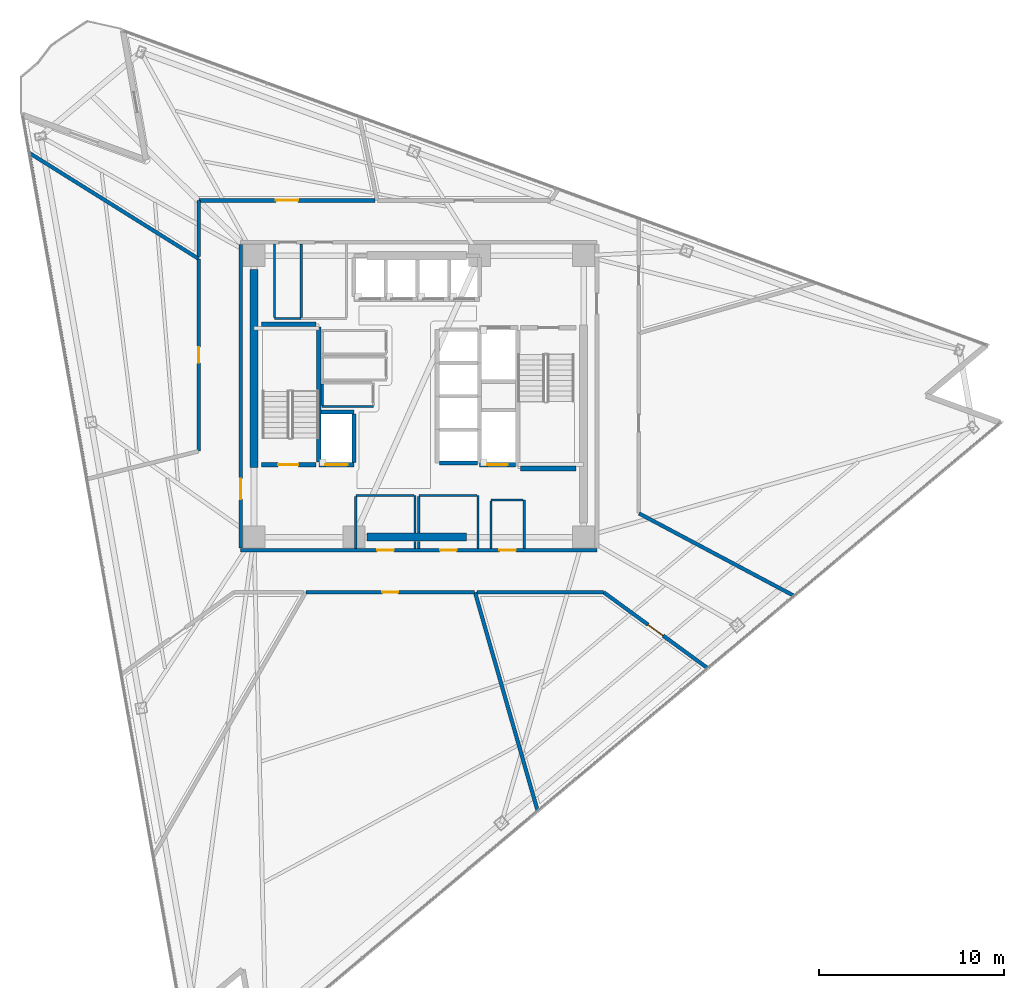
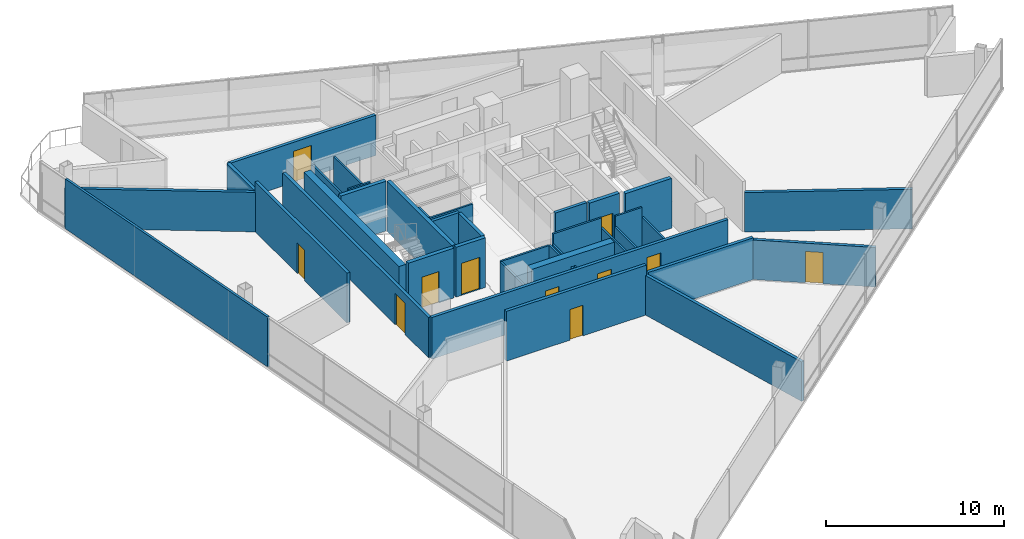
# One storey, part 10 of 15: 39 walls, 11 doors, 11 openings.
"""IFC4 building model written with IfcOpenShell, lengths in metres."""

from ifc_helpers import new_model, si_unit, direction, frame, frame_2d, origin, place, context, subcontext, project, spatial, rectangle, extrude, material, layer, layer_set, type_object, element, fill, save


model = new_model("IFC4")

# Units and contexts
model_context = context("Model", 3, precision=1e-05, world=origin(), true_north=direction((0.0, 1.0)))
body_context = subcontext(model_context, "Body", "Model", "MODEL_VIEW")
ifc_project = project(units=[si_unit("LENGTHUNIT", "METRE"), si_unit("AREAUNIT", "SQUARE_METRE"), si_unit("VOLUMEUNIT", "CUBIC_METRE"), si_unit("PLANEANGLEUNIT", "RADIAN"), si_unit("MASSUNIT", "GRAM", prefix="KILO")], contexts=[model_context])

# Site, building, storey
site_placement = place(None, origin())
site = spatial("IfcSite", under=ifc_project, at=site_placement, CompositionType="ELEMENT")
building_placement = place(site_placement, origin())
building = spatial("IfcBuilding", under=site, at=building_placement, Name="Tharavind Bronze Gate", CompositionType="ELEMENT")
storey_placement = place(building_placement, frame((0.0, 0.0, 174.10009765625)))
storey = spatial("IfcBuildingStorey", under=building, at=storey_placement, Name="L44", CompositionType="ELEMENT", Elevation=174.10009765625)

# Wall, openings, doors
ifc_material_1 = material(Name="Aerated Concrete Block", Category="concrete")
ifc_layer_1 = layer(ifc_material_1, 0.199951171875)
ifc_layer_set_1 = layer_set([ifc_layer_1], Name="Aerated Concrete Block")
wall_type_1 = type_object("IfcWallType", Name="FIRE RATED PARTITION 200", PredefinedType="PARTITIONING", material=ifc_layer_set_1)
wall_1_placement = place(storey_placement, frame((-9.6201171875, -8.320068359375, 0.0), z_axis=(0.0, 0.0, 1.0), x_axis=(1.0, 0.0, 0.0)))
wall_1 = element("IfcWall", 1, at=wall_1_placement, inside=storey, type_object=wall_type_1, Name="L44 south core corridor wall", PredefinedType="PARTITIONING", context=body_context, shape_type="SweptSolid", body=[
    extrude(rectangle(XDim=19.240234375, YDim=0.199951171875, at=frame_2d((9.6201171875, 0.0))), origin(), (0.0, 0.0, 1.0), 2.864990234375),
])
opening_1_placement = place(wall_1_placement, frame((7.3701171875, 0.0, 0.0)))
opening_1 = element("IfcOpeningElement", 2, at=opening_1_placement, cuts=wall_1, Name="Opening ID07", PredefinedType="OPENING", context=body_context, shape_type="SweptSolid", body=[
    extrude(rectangle(XDim=0.89990234375, YDim=2.10009765625, at=frame_2d((0.449951171875, 1.050048828125))), frame((0.0, 0.11009765625, 0.0), z_axis=(0.0, -1.0, 0.0), x_axis=(1.0, 0.0, 0.0)), (0.0, 0.0, 1.0), 0.219951171875),
])
opening_2_placement = place(wall_1_placement, frame((10.77001953125, 0.0, 0.0)))
opening_2 = element("IfcOpeningElement", 3, at=opening_2_placement, cuts=wall_1, Name="Opening ID07", PredefinedType="OPENING", context=body_context, shape_type="SweptSolid", body=[
    extrude(rectangle(XDim=0.89990234375, YDim=2.10009765625, at=frame_2d((0.449951171875, 1.050048828125))), frame((0.0, 0.11009765625, 0.0), z_axis=(0.0, -1.0, 0.0), x_axis=(1.0, 0.0, 0.0)), (0.0, 0.0, 1.0), 0.219951171875),
])
opening_3_placement = place(wall_1_placement, frame((13.969970703125, 0.0, 0.0)))
opening_3 = element("IfcOpeningElement", 4, at=opening_3_placement, cuts=wall_1, Name="Opening ID07", PredefinedType="OPENING", context=body_context, shape_type="SweptSolid", body=[
    extrude(rectangle(XDim=0.89990234375, YDim=2.10009765625, at=frame_2d((0.449951171875, 1.050048828125))), frame((0.0, 0.11009765625, 0.0), z_axis=(0.0, -1.0, 0.0), x_axis=(1.0, 0.0, 0.0)), (0.0, 0.0, 1.0), 0.219951171875),
])
ifc_material_2 = material(Name="Galvanised Fire Steel", Category="steel")
door_type_1 = type_object("IfcDoorType", Name="PLANT AND RISER FIRE DOOR 900X2100", OperationType="SINGLE_SWING_LEFT", PredefinedType="DOOR", material=ifc_material_2)
door_1_placement = place(opening_1_placement, frame((0.89990234375, 0.0, 0.0), z_axis=(0.0, 0.0, 1.0), x_axis=(-1.0, 0.0, 0.0)))
door_1 = element("IfcDoor", 5, at=door_1_placement, inside=storey, type_object=door_type_1, Name="L44 Core Archive Store fire door", OperationType="SINGLE_SWING_LEFT", OverallHeight=2.10009765625, OverallWidth=0.89990234375, PredefinedType="DOOR", context=body_context, shape_type="SweptSolid", body=[
    extrude(rectangle(XDim=0.89990234375, YDim=2.10009765625, at=frame_2d((0.449951171875, 1.050048828125))), frame((0.0, 0.02490234375, 0.0), z_axis=(0.0, -1.0, 0.0), x_axis=(1.0, 0.0, 0.0)), (0.0, 0.0, 1.0), 0.050048828125),
])
fill(opening_1, door_1)
door_2_placement = place(opening_2_placement, frame((0.89990234375, 0.0, 0.0), z_axis=(0.0, 0.0, 1.0), x_axis=(-1.0, 0.0, 0.0)))
door_2 = element("IfcDoor", 6, at=door_2_placement, inside=storey, type_object=door_type_1, Name="L44 Core Server Room fire door", OperationType="SINGLE_SWING_LEFT", OverallHeight=2.10009765625, OverallWidth=0.89990234375, PredefinedType="DOOR", context=body_context, shape_type="SweptSolid", body=[
    extrude(rectangle(XDim=0.89990234375, YDim=2.10009765625, at=frame_2d((0.449951171875, 1.050048828125))), frame((0.0, 0.02490234375, 0.0), z_axis=(0.0, -1.0, 0.0), x_axis=(1.0, 0.0, 0.0)), (0.0, 0.0, 1.0), 0.050048828125),
])
fill(opening_2, door_2)
door_3_placement = place(opening_3_placement, frame((0.89990234375, 0.0, 0.0), z_axis=(0.0, 0.0, 1.0), x_axis=(-1.0, 0.0, 0.0)))
door_3 = element("IfcDoor", 7, at=door_3_placement, inside=storey, type_object=door_type_1, Name="L44 Janitor Store Cupboard fire door", OperationType="SINGLE_SWING_LEFT", OverallHeight=2.10009765625, OverallWidth=0.89990234375, PredefinedType="DOOR", context=body_context, shape_type="SweptSolid", body=[
    extrude(rectangle(XDim=0.89990234375, YDim=2.10009765625, at=frame_2d((0.449951171875, 1.050048828125))), frame((0.0, 0.02490234375, 0.0), z_axis=(0.0, -1.0, 0.0), x_axis=(1.0, 0.0, 0.0)), (0.0, 0.0, 1.0), 0.050048828125),
])
fill(opening_3, door_3)

# Wall, opening, door
wall_2_placement = place(storey_placement, frame((-9.6201171875, 8.199951171875, 0.0), z_axis=(0.0, 0.0, 1.0), x_axis=(0.0, -1.0, 0.0)))
wall_2 = element("IfcWall", 8, at=wall_2_placement, inside=storey, type_object=wall_type_1, Name="L44 west core corridor wall", PredefinedType="PARTITIONING", context=body_context, shape_type="SweptSolid", body=[
    extrude(rectangle(XDim=16.39990234375, YDim=0.199951171875, at=frame_2d((8.199951171875, 0.0))), origin(), (0.0, 0.0, 1.0), 2.764892578125),
])
opening_4_placement = place(wall_2_placement, frame((12.64990234375, 0.0, 0.0)))
opening_4 = element("IfcOpeningElement", 9, at=opening_4_placement, cuts=wall_2, Name="Opening ID01", PredefinedType="OPENING", context=body_context, shape_type="SweptSolid", body=[
    extrude(rectangle(XDim=1.10009765625, YDim=2.14990234375, at=frame_2d((0.550048828125, 1.074951171875))), frame((0.0, 0.11009765625, 0.0), z_axis=(0.0, -1.0, 0.0), x_axis=(1.0, 0.0, 0.0)), (0.0, 0.0, 1.0), 0.219951171875),
])
ifc_material_3 = material(Name="Fire-Rated Steel", Category="steel")
door_type_2 = type_object("IfcDoorType", Name="STAIR CORE FIRE DOOR 1100X2150", OperationType="SINGLE_SWING_LEFT", PredefinedType="DOOR", material=ifc_material_3)
door_4_placement = place(opening_4_placement, frame((1.10009765625, 0.0, 0.0), z_axis=(0.0, 0.0, 1.0), x_axis=(-1.0, 0.0, 0.0)))
door_4 = element("IfcDoor", 10, at=door_4_placement, inside=storey, type_object=door_type_2, Name="L44 south west stair lobby fire door", OperationType="SINGLE_SWING_LEFT", OverallHeight=2.14990234375, OverallWidth=1.10009765625, PredefinedType="DOOR", context=body_context, shape_type="SweptSolid", body=[
    extrude(rectangle(XDim=1.10009765625, YDim=2.14990234375, at=frame_2d((0.550048828125, 1.074951171875))), frame((0.0, 0.02490234375, 0.0), z_axis=(0.0, -1.0, 0.0), x_axis=(1.0, 0.0, 0.0)), (0.0, 0.0, 1.0), 0.050048828125),
])
fill(opening_4, door_4)

# Wall
wall_3_placement = place(storey_placement, frame((-21.03564453125, 13.14453125, 0.0), z_axis=(0.0, 0.0, 1.0), x_axis=(0.848050455258, -0.529915488863, 0.0)))
element("IfcWall", 11, at=wall_3_placement, inside=storey, type_object=wall_type_1, Name="L44 Public Restrooms Block partition", PredefinedType="PARTITIONING", context=body_context, shape_type="SweptSolid", body=[
    extrude(rectangle(XDim=10.7822265625, YDim=0.199951171875, at=frame_2d((5.39111328125, 0.0))), origin(), (0.0, 0.0, 1.0), 2.71484375),
])

# Wall, opening, door
wall_4_placement = place(storey_placement, frame((-11.8798828125, 7.40966796875, 0.0), z_axis=(0.0, 0.0, 1.0), x_axis=(0.0, -1.0, 0.0)))
wall_4 = element("IfcWall", 12, at=wall_4_placement, inside=storey, type_object=wall_type_1, Name="L44 Public Restrooms Block partition", PredefinedType="PARTITIONING", context=body_context, shape_type="SweptSolid", body=[
    extrude(rectangle(XDim=10.35205078125, YDim=0.199951171875, at=frame_2d((5.176025390625, 0.0))), origin(), (0.0, 0.0, 1.0), 3.419921875),
])
opening_5_placement = place(wall_4_placement, frame((4.7509765625, 0.0, 0.0)))
opening_5 = element("IfcOpeningElement", 13, at=opening_5_placement, cuts=wall_4, Name="Opening ID06", PredefinedType="OPENING", context=body_context, shape_type="SweptSolid", body=[
    extrude(rectangle(XDim=0.85009765625, YDim=2.10009765625, at=frame_2d((0.425048828125, 1.050048828125))), frame((0.0, 0.11009765625, 0.0), z_axis=(0.0, -1.0, 0.0), x_axis=(1.0, 0.0, 0.0)), (0.0, 0.0, 1.0), 0.219951171875),
])
ifc_material_4 = material(Name="Moisture-Resistant Timber", Category="wood")
door_type_3 = type_object("IfcDoorType", Name="BATHROOM PRIVACY DOOR 850X2100", OperationType="SINGLE_SWING_RIGHT", PredefinedType="DOOR", material=ifc_material_4)
door_5_placement = place(opening_5_placement, origin())
door_5 = element("IfcDoor", 14, at=door_5_placement, inside=storey, type_object=door_type_3, Name="L44 Public Restrooms Block door", OperationType="SINGLE_SWING_RIGHT", OverallHeight=2.10009765625, OverallWidth=0.85009765625, PredefinedType="DOOR", context=body_context, shape_type="SweptSolid", body=[
    extrude(rectangle(XDim=0.85009765625, YDim=2.10009765625, at=frame_2d((0.425048828125, 1.050048828125))), frame((0.0, 0.02490234375, 0.0), z_axis=(0.0, -1.0, 0.0), x_axis=(1.0, 0.0, 0.0)), (0.0, 0.0, 1.0), 0.050048828125),
])
fill(opening_5, door_5)

wall_5_placement = place(storey_placement, frame((-6.093994140625, -10.580078125, 0.0), z_axis=(0.0, 0.0, 1.0), x_axis=(1.0, 0.0, 0.0)))
wall_5 = element("IfcWall", 15, at=wall_5_placement, inside=storey, type_object=wall_type_1, Name="L44 Public Restrooms Block partition", PredefinedType="PARTITIONING", context=body_context, shape_type="SweptSolid", body=[
    extrude(rectangle(XDim=9.10888671875, YDim=0.199951171875, at=frame_2d((4.554443359375, 0.0))), origin(), (0.0, 0.0, 1.0), 3.419921875),
])
opening_6_placement = place(wall_5_placement, frame((4.12890625, 0.0, 0.0)))
opening_6 = element("IfcOpeningElement", 16, at=opening_6_placement, cuts=wall_5, Name="Opening ID06", PredefinedType="OPENING", context=body_context, shape_type="SweptSolid", body=[
    extrude(rectangle(XDim=0.85009765625, YDim=2.10009765625, at=frame_2d((0.425048828125, 1.050048828125))), frame((0.0, 0.11009765625, 0.0), z_axis=(0.0, -1.0, 0.0), x_axis=(1.0, 0.0, 0.0)), (0.0, 0.0, 1.0), 0.219951171875),
])
door_6_placement = place(opening_6_placement, origin())
door_6 = element("IfcDoor", 17, at=door_6_placement, inside=storey, type_object=door_type_3, Name="L44 Public Restrooms Block door", OperationType="SINGLE_SWING_RIGHT", OverallHeight=2.10009765625, OverallWidth=0.85009765625, PredefinedType="DOOR", context=body_context, shape_type="SweptSolid", body=[
    extrude(rectangle(XDim=0.85009765625, YDim=2.10009765625, at=frame_2d((0.425048828125, 1.050048828125))), frame((0.0, 0.02490234375, 0.0), z_axis=(0.0, -1.0, 0.0), x_axis=(1.0, 0.0, 0.0)), (0.0, 0.0, 1.0), 0.050048828125),
])
fill(opening_6, door_6)

# Wall
wall_6_placement = place(storey_placement, frame((3.0390625, -10.59814453125, 0.0), z_axis=(0.0, 0.0, 1.0), x_axis=(0.275629193235, -0.961264036484, 0.0)))
element("IfcWall", 18, at=wall_6_placement, inside=storey, type_object=wall_type_1, Name="L44 Public Restrooms Block partition", PredefinedType="PARTITIONING", context=body_context, shape_type="SweptSolid", body=[
    extrude(rectangle(XDim=12.2490234375, YDim=0.199951171875, at=frame_2d((6.12451171875, 0.0))), origin(), (0.0, 0.0, 1.0), 2.71484375),
])

# Wall, opening, door
wall_7_placement = place(storey_placement, frame((-2.356201171875, 10.580078125, 0.0), z_axis=(0.0, 0.0, 1.0), x_axis=(-1.0, 0.0, 0.0)))
wall_7 = element("IfcWall", 19, at=wall_7_placement, inside=storey, type_object=wall_type_1, Name="L44 Stakeholder Conference Room partition", PredefinedType="PARTITIONING", context=body_context, shape_type="SweptSolid", body=[
    extrude(rectangle(XDim=9.523193359375, YDim=0.199951171875, at=frame_2d((4.76171875, 0.0))), origin(), (0.0, 0.0, 1.0), 2.764892578125),
])
opening_7_placement = place(wall_7_placement, frame((4.162109375, 0.0, 0.0)))
opening_7 = element("IfcOpeningElement", 20, at=opening_7_placement, cuts=wall_7, Name="Opening ID05", PredefinedType="OPENING", context=body_context, shape_type="SweptSolid", body=[
    extrude(rectangle(XDim=1.199951171875, YDim=2.14990234375, at=frame_2d((0.60009765625, 1.074951171875))), frame((0.0, 0.11009765625, 0.0), z_axis=(0.0, -1.0, 0.0), x_axis=(1.0, 0.0, 0.0)), (0.0, 0.0, 1.0), 0.219951171875),
])
ifc_material_5 = material(Name="Acoustic Laminated Glass", Category="glass")
door_type_4 = type_object("IfcDoorType", Name="MEETING ROOM GLAZED DOOR 1200X2150", OperationType="SINGLE_SWING_LEFT", PredefinedType="DOOR", material=ifc_material_5)
door_7_placement = place(opening_7_placement, origin())
door_7 = element("IfcDoor", 21, at=door_7_placement, inside=storey, type_object=door_type_4, Name="L44 Stakeholder Conference Room door", OperationType="SINGLE_SWING_LEFT", OverallHeight=2.14990234375, OverallWidth=1.199951171875, PredefinedType="DOOR", context=body_context, shape_type="SweptSolid", body=[
    extrude(rectangle(XDim=1.199951171875, YDim=2.14990234375, at=frame_2d((0.60009765625, 1.074951171875))), frame((0.0, 0.02490234375, 0.0), z_axis=(0.0, -1.0, 0.0), x_axis=(1.0, 0.0, 0.0)), (0.0, 0.0, 1.0), 0.050048828125),
])
fill(opening_7, door_7)

# Walls
wall_8_placement = place(storey_placement, frame((-11.8798828125, 10.579345703125, 0.0), z_axis=(0.0, 0.0, 1.0), x_axis=(0.0, -1.0, 0.0)))
element("IfcWall", 22, at=wall_8_placement, inside=storey, type_object=wall_type_1, Name="L44 Stakeholder Conference Room partition", PredefinedType="PARTITIONING", context=body_context, shape_type="SweptSolid", body=[
    extrude(rectangle(XDim=3.0322265625, YDim=0.199951171875, at=frame_2d((1.51611328125, 0.0))), origin(), (0.0, 0.0, 1.0), 2.764892578125),
])
wall_9_placement = place(storey_placement, frame((3.14306640625, -10.580078125, 0.0), z_axis=(0.0, 0.0, 1.0), x_axis=(1.0, 0.0, 0.0)))
element("IfcWall", 23, at=wall_9_placement, inside=storey, type_object=wall_type_1, Name="L44 Quiet Reading Study partition", PredefinedType="PARTITIONING", context=body_context, shape_type="SweptSolid", body=[
    extrude(rectangle(XDim=6.826904296875, YDim=0.199951171875, at=frame_2d((3.41357421875, 0.0))), origin(), (0.0, 0.0, 1.0), 2.864990234375),
])

# Wall, opening, door
wall_10_placement = place(storey_placement, frame((9.98486328125, -10.584716796875, 0.0), z_axis=(0.0, 0.0, 1.0), x_axis=(0.807846973011, -0.589392287189, 0.0)))
wall_10 = element("IfcWall", 24, at=wall_10_placement, inside=storey, type_object=wall_type_1, Name="L44 Quiet Reading Study partition", PredefinedType="PARTITIONING", context=body_context, shape_type="SweptSolid", body=[
    extrude(rectangle(XDim=6.95361328125, YDim=0.199951171875, at=frame_2d((3.476806640625, 0.0))), origin(), (0.0, 0.0, 1.0), 2.71484375),
])
opening_8_placement = place(wall_10_placement, frame((2.97705078125, 0.0, 0.0)))
opening_8 = element("IfcOpeningElement", 25, at=opening_8_placement, cuts=wall_10, Name="Opening ID04", PredefinedType="OPENING", context=body_context, shape_type="SweptSolid", body=[
    extrude(rectangle(XDim=1.0, YDim=2.14990234375, at=frame_2d((0.5, 1.074951171875))), frame((0.0, 0.11009765625, 0.0), z_axis=(0.0, -1.0, 0.0), x_axis=(1.0, 0.0, 0.0)), (0.0, 0.0, 1.0), 0.219951171875),
])
ifc_material_6 = material(Name="Bronze Framed Acoustic Timber", Category="wood")
door_type_5 = type_object("IfcDoorType", Name="OFFICE TENANCY DOOR 1000X2150", OperationType="SINGLE_SWING_RIGHT", PredefinedType="DOOR", material=ifc_material_6)
door_8_placement = place(opening_8_placement, origin())
door_8 = element("IfcDoor", 26, at=door_8_placement, inside=storey, type_object=door_type_5, Name="L44 Quiet Reading Study door", OperationType="SINGLE_SWING_RIGHT", OverallHeight=2.14990234375, OverallWidth=1.0, PredefinedType="DOOR", context=body_context, shape_type="SweptSolid", body=[
    extrude(rectangle(XDim=1.0, YDim=2.14990234375, at=frame_2d((0.5, 1.074951171875))), frame((0.0, 0.02490234375, 0.0), z_axis=(0.0, -1.0, 0.0), x_axis=(1.0, 0.0, 0.0)), (0.0, 0.0, 1.0), 0.050048828125),
])
fill(opening_8, door_8)

# Walls
wall_11_placement = place(storey_placement, frame((20.246826171875, -10.765380859375, 0.0), z_axis=(0.0, 0.0, 1.0), x_axis=(-0.882947271035, 0.469472168048, 0.0)))
element("IfcWall", 27, at=wall_11_placement, inside=storey, type_object=wall_type_1, Name="L44 Tea Pantry partition", PredefinedType="PARTITIONING", context=body_context, shape_type="SweptSolid", body=[
    extrude(rectangle(XDim=9.4609375, YDim=0.199951171875, at=frame_2d((4.73046875, 0.0))), origin(), (0.0, 0.0, 1.0), 2.71484375),
])
ifc_material_7 = material(Name="Metal Stud Gypsum Partition", Category="gypsum")
ifc_layer_2 = layer(ifc_material_7, 0.1201171875)
ifc_layer_set_2 = layer_set([ifc_layer_2], Name="Metal Stud Gypsum Partition")
wall_type_2 = type_object("IfcWallType", Name="INTERIOR PARTITION WALL 120", PredefinedType="PARTITIONING", material=ifc_layer_set_2)
wall_12_placement = place(storey_placement, frame((-5.219970703125, -0.550048828125, 0.0), z_axis=(0.0, 0.0, 1.0), x_axis=(1.0, 0.0, 0.0)))
element("IfcWall", 28, at=wall_12_placement, inside=storey, type_object=wall_type_2, Name="L44 Electrical Metering Store partition 1", PredefinedType="PARTITIONING", context=body_context, shape_type="SweptSolid", body=[
    extrude(rectangle(XDim=2.77001953125, YDim=0.1201171875, at=frame_2d((1.385009765625, 0.0))), origin(), (0.0, 0.0, 1.0), 3.419921875),
])
wall_13_placement = place(storey_placement, frame((-5.219970703125, 0.655029296875, 0.0), z_axis=(0.0, 0.0, 1.0), x_axis=(0.0, -1.0, 0.0)))
element("IfcWall", 29, at=wall_13_placement, inside=storey, type_object=wall_type_2, Name="L44 Electrical Metering Store partition 4", PredefinedType="PARTITIONING", context=body_context, shape_type="SweptSolid", body=[
    extrude(rectangle(XDim=1.14013671875, YDim=0.1201171875, at=frame_2d((0.570068359375, 0.0))), origin(), (0.0, 0.0, 1.0), 3.419921875),
])
wall_14_placement = place(storey_placement, frame((-0.199951171875, -8.215087890625, 0.0), z_axis=(0.0, 0.0, 1.0), x_axis=(0.0, 1.0, 0.0)))
element("IfcWall", 30, at=wall_14_placement, inside=storey, type_object=wall_type_2, Name="L44 Core Archive Store partition 2", PredefinedType="PARTITIONING", context=body_context, shape_type="SweptSolid", body=[
    extrude(rectangle(XDim=0.385009765625, YDim=0.1201171875, at=frame_2d((0.1923828125, 0.0))), origin(), (0.0, 0.0, 1.0), 2.71484375),
])
wall_15_placement = place(storey_placement, frame((-0.199951171875, -7.3701171875, 0.0), z_axis=(0.0, 0.0, 1.0), x_axis=(0.0, 1.0, 0.0)))
element("IfcWall", 31, at=wall_15_placement, inside=storey, type_object=wall_type_2, Name="L44 Core Archive Store partition 2", PredefinedType="PARTITIONING", context=body_context, shape_type="SweptSolid", body=[
    extrude(rectangle(XDim=2.02001953125, YDim=0.1201171875, at=frame_2d((1.010009765625, 0.0))), origin(), (0.0, 0.0, 1.0), 2.71484375),
])
wall_16_placement = place(storey_placement, frame((-0.264892578125, -5.35009765625, 0.0), z_axis=(0.0, 0.0, 1.0), x_axis=(-1.0, 0.0, 0.0)))
element("IfcWall", 32, at=wall_16_placement, inside=storey, type_object=wall_type_2, Name="L44 Core Archive Store partition 3", PredefinedType="PARTITIONING", context=body_context, shape_type="SweptSolid", body=[
    extrude(rectangle(XDim=3.135009765625, YDim=0.1201171875, at=frame_2d((1.5673828125, 0.0))), origin(), (0.0, 0.0, 1.0), 2.71484375),
])
wall_17_placement = place(storey_placement, frame((-3.39990234375, -5.4150390625, 0.0), z_axis=(0.0, 0.0, 1.0), x_axis=(0.0, -1.0, 0.0)))
element("IfcWall", 33, at=wall_17_placement, inside=storey, type_object=wall_type_2, Name="L44 Core Archive Store partition 4", PredefinedType="PARTITIONING", context=body_context, shape_type="SweptSolid", body=[
    extrude(rectangle(XDim=2.800048828125, YDim=0.1201171875, at=frame_2d((1.39990234375, 0.0))), origin(), (0.0, 0.0, 1.0), 2.71484375),
])
wall_18_placement = place(storey_placement, frame((3.199951171875, -8.215087890625, 0.0), z_axis=(0.0, 0.0, 1.0), x_axis=(0.0, 1.0, 0.0)))
element("IfcWall", 34, at=wall_18_placement, inside=storey, type_object=wall_type_2, Name="L44 Core Server Room partition 2", PredefinedType="PARTITIONING", context=body_context, shape_type="SweptSolid", body=[
    extrude(rectangle(XDim=2.864990234375, YDim=0.1201171875, at=frame_2d((1.4326171875, 0.0))), origin(), (0.0, 0.0, 1.0), 2.71484375),
])
wall_19_placement = place(storey_placement, frame((3.135009765625, -5.35009765625, 0.0), z_axis=(0.0, 0.0, 1.0), x_axis=(-1.0, 0.0, 0.0)))
element("IfcWall", 35, at=wall_19_placement, inside=storey, type_object=wall_type_2, Name="L44 Core Server Room partition 3", PredefinedType="PARTITIONING", context=body_context, shape_type="SweptSolid", body=[
    extrude(rectangle(XDim=3.135009765625, YDim=0.1201171875, at=frame_2d((1.5673828125, 0.0))), origin(), (0.0, 0.0, 1.0), 3.419921875),
])
wall_20_placement = place(storey_placement, frame((0.0, -5.4150390625, 0.0), z_axis=(0.0, 0.0, 1.0), x_axis=(0.0, -1.0, 0.0)))
element("IfcWall", 36, at=wall_20_placement, inside=storey, type_object=wall_type_2, Name="L44 Core Server Room partition 4", PredefinedType="PARTITIONING", context=body_context, shape_type="SweptSolid", body=[
    extrude(rectangle(XDim=1.955078125, YDim=0.1201171875, at=frame_2d((0.9775390625, 0.0))), origin(), (0.0, 0.0, 1.0), 2.71484375),
])
wall_21_placement = place(storey_placement, frame((0.0, -7.830078125, 0.0), z_axis=(0.0, 0.0, 1.0), x_axis=(0.0, -1.0, 0.0)))
element("IfcWall", 37, at=wall_21_placement, inside=storey, type_object=wall_type_2, Name="L44 Core Server Room partition 4", PredefinedType="PARTITIONING", context=body_context, shape_type="SweptSolid", body=[
    extrude(rectangle(XDim=0.385009765625, YDim=0.1201171875, at=frame_2d((0.1923828125, 0.0))), origin(), (0.0, 0.0, 1.0), 2.71484375),
])
wall_22_placement = place(storey_placement, frame((-7.800048828125, 4.199951171875, 0.0), z_axis=(0.0, 0.0, 1.0), x_axis=(1.0, 0.0, 0.0)))
element("IfcWall", 38, at=wall_22_placement, inside=storey, type_object=wall_type_2, Name="L44 Battery Backup Cupboard partition 1", PredefinedType="PARTITIONING", context=body_context, shape_type="SweptSolid", body=[
    extrude(rectangle(XDim=1.449951171875, YDim=0.1201171875, at=frame_2d((0.72509765625, 0.0))), origin(), (0.0, 0.0, 1.0), 3.419921875),
])
for number, where, z_axis, x_axis, name in (
    (39, (-6.35009765625, 4.264892578125, 0.0), (0.0, 0.0, 1.0), (0.0, 1.0, 0.0), "L44 Battery Backup Cupboard partition 2"),
    (40, (-7.800048828125, 8.215087890625, 0.0), (0.0, 0.0, 1.0), (0.0, -1.0, 0.0), "L44 Battery Backup Cupboard partition 4"),
):
    element("IfcWall", number, at=place(storey_placement, frame(where, z_axis=z_axis, x_axis=x_axis)), inside=storey, type_object=wall_type_2, Name=name, PredefinedType="PARTITIONING", context=body_context, shape_type="SweptSolid", body=[
        extrude(rectangle(XDim=3.9501953125, YDim=0.1201171875, at=frame_2d((1.97509765625, 0.0))), origin(), (0.0, 0.0, 1.0), 2.71484375),
    ])
wall_23_placement = place(storey_placement, frame((5.699951171875, -8.215087890625, 0.0), z_axis=(0.0, 0.0, 1.0), x_axis=(0.0, 1.0, 0.0)))
element("IfcWall", 41, at=wall_23_placement, inside=storey, type_object=wall_type_2, Name="L44 Janitor Store Cupboard partition 2", PredefinedType="PARTITIONING", context=body_context, shape_type="SweptSolid", body=[
    extrude(rectangle(XDim=2.614990234375, YDim=0.1201171875, at=frame_2d((1.3076171875, 0.0))), origin(), (0.0, 0.0, 1.0), 2.71484375),
])
wall_24_placement = place(storey_placement, frame((5.635009765625, -5.60009765625, 0.0), z_axis=(0.0, 0.0, 1.0), x_axis=(-1.0, 0.0, 0.0)))
element("IfcWall", 42, at=wall_24_placement, inside=storey, type_object=wall_type_2, Name="L44 Janitor Store Cupboard partition 3", PredefinedType="PARTITIONING", context=body_context, shape_type="SweptSolid", body=[
    extrude(rectangle(XDim=1.735107421875, YDim=0.1201171875, at=frame_2d((0.86767578125, 0.0))), origin(), (0.0, 0.0, 1.0), 3.419921875),
])
wall_25_placement = place(storey_placement, frame((3.89990234375, -5.6650390625, 0.0), z_axis=(0.0, 0.0, 1.0), x_axis=(0.0, -1.0, 0.0)))
element("IfcWall", 43, at=wall_25_placement, inside=storey, type_object=wall_type_2, Name="L44 Janitor Store Cupboard partition 4", PredefinedType="PARTITIONING", context=body_context, shape_type="SweptSolid", body=[
    extrude(rectangle(XDim=2.550048828125, YDim=0.1201171875, at=frame_2d((1.27490234375, 0.0))), origin(), (0.0, 0.0, 1.0), 2.71484375),
])
ifc_material_8 = material(Name="Twin Stud Acoustic Gypsum", Category="gypsum")
ifc_layer_3 = layer(ifc_material_8, 0.14990234375)
ifc_layer_set_3 = layer_set([ifc_layer_3], Name="Twin Stud Acoustic Gypsum")
wall_type_3 = type_object("IfcWallType", Name="INTERIOR PARTITION WALL 150", PredefinedType="PARTITIONING", material=ifc_layer_set_3)
wall_26_placement = place(storey_placement, frame((-17.934326171875, -4.444091796875, 0.0), z_axis=(0.0, 0.0, 1.0), x_axis=(-0.173637559084, 0.984809625296, 0.0)))
element("IfcWall", 44, at=wall_26_placement, inside=storey, type_object=wall_type_3, Name="L44 Public Restrooms Block partition", PredefinedType="PARTITIONING", context=body_context, shape_type="SweptSolid", body=[
    extrude(rectangle(XDim=17.71875, YDim=0.14990234375, at=frame_2d((8.859375, 0.0))), origin(), (0.0, 0.0, 1.0), 3.419921875),
])
ifc_material_9 = material(Name="Concrete C50/60", Category="concrete")
ifc_layer_4 = layer(ifc_material_9, 0.25)
ifc_layer_set_4 = layer_set([ifc_layer_4], Name="Concrete C50/60")
wall_type_4 = type_object("IfcWallType", Name="RC CORE SHEAR WALL 250", PredefinedType="SHEAR", material=ifc_layer_set_4)
wall_27_placement = place(storey_placement, frame((-5.39990234375, -3.550048828125, 0.0), z_axis=(0.0, 0.0, 1.0), x_axis=(0.0, 1.0, 0.0)))
element("IfcWall", 45, at=wall_27_placement, inside=storey, type_object=wall_type_4, Name="L44 ST1 shaft east wall", PredefinedType="SHEAR", context=body_context, shape_type="SweptSolid", body=[
    extrude(rectangle(XDim=7.300048828125, YDim=0.25, at=frame_2d((3.64990234375, 0.0))), origin(), (0.0, 0.0, 1.0), 3.419921875),
])

# Wall, opening, door
wall_28_placement = place(storey_placement, frame((-8.5, -3.699951171875, 0.0), z_axis=(0.0, 0.0, 1.0), x_axis=(1.0, 0.0, 0.0)))
wall_28 = element("IfcWall", 46, at=wall_28_placement, inside=storey, type_object=wall_type_4, Name="L44 ST1 shaft south wall", PredefinedType="SHEAR", context=body_context, shape_type="SweptSolid", body=[
    extrude(rectangle(XDim=2.949951171875, YDim=0.25, at=frame_2d((1.47509765625, 0.0))), origin(), (0.0, 0.0, 1.0), 3.419921875),
])
opening_9_placement = place(wall_28_placement, frame((0.89990234375, 0.0, 0.0)))
opening_9 = element("IfcOpeningElement", 47, at=opening_9_placement, cuts=wall_28, Name="Opening ID01", PredefinedType="OPENING", context=body_context, shape_type="SweptSolid", body=[
    extrude(rectangle(XDim=1.10009765625, YDim=2.14990234375, at=frame_2d((0.550048828125, 1.074951171875))), frame((0.0, 0.135, 0.0), z_axis=(0.0, -1.0, 0.0), x_axis=(1.0, 0.0, 0.0)), (0.0, 0.0, 1.0), 0.27),
])
door_9_placement = place(opening_9_placement, origin())
door_9 = element("IfcDoor", 48, at=door_9_placement, inside=storey, type_object=door_type_2, Name="L44 exit stair ST1 fire door", OperationType="SINGLE_SWING_LEFT", OverallHeight=2.14990234375, OverallWidth=1.10009765625, PredefinedType="DOOR", context=body_context, shape_type="SweptSolid", body=[
    extrude(rectangle(XDim=1.10009765625, YDim=2.14990234375, at=frame_2d((0.550048828125, 1.074951171875))), frame((0.0, 0.02490234375, 0.0), z_axis=(0.0, -1.0, 0.0), x_axis=(1.0, 0.0, 0.0)), (0.0, 0.0, 1.0), 0.050048828125),
])
fill(opening_9, door_9)

# Walls
wall_29_placement = place(storey_placement, frame((-8.5, 3.89990234375, 0.0), z_axis=(0.0, 0.0, 1.0), x_axis=(1.0, 0.0, 0.0)))
element("IfcWall", 49, at=wall_29_placement, inside=storey, type_object=wall_type_4, Name="L44 ST1 shaft north wall", PredefinedType="SHEAR", context=body_context, shape_type="SweptSolid", body=[
    extrude(rectangle(XDim=2.949951171875, YDim=0.25, at=frame_2d((1.47509765625, 0.0))), origin(), (0.0, 0.0, 1.0), 3.419921875),
])
wall_30_placement = place(storey_placement, frame((5.5, -3.89990234375, 0.0), z_axis=(0.0, 0.0, 1.0), x_axis=(1.0, 0.0, 0.0)))
element("IfcWall", 50, at=wall_30_placement, inside=storey, type_object=wall_type_4, Name="L44 ST2 shaft south wall", PredefinedType="SHEAR", context=body_context, shape_type="SweptSolid", body=[
    extrude(rectangle(XDim=3.0, YDim=0.25, at=frame_2d((1.5, 0.0))), origin(), (0.0, 0.0, 1.0), 3.419921875),
])

# Wall, opening, door
wall_31_placement = place(storey_placement, frame((-5.39990234375, -3.699951171875, 0.0), z_axis=(0.0, 0.0, 1.0), x_axis=(1.0, 0.0, 0.0)))
wall_31 = element("IfcWall", 51, at=wall_31_placement, inside=storey, type_object=wall_type_4, Name="L44 lift FFL1 shaft front wall", PredefinedType="SHEAR", context=body_context, shape_type="SweptSolid", body=[
    extrude(rectangle(XDim=1.89990234375, YDim=0.25, at=frame_2d((0.949951171875, 0.0))), origin(), (0.0, 0.0, 1.0), 3.419921875),
])
opening_10_placement = place(wall_31_placement, frame((0.35009765625, 0.0, 0.0)))
opening_10 = element("IfcOpeningElement", 52, at=opening_10_placement, cuts=wall_31, Name="Opening LD02", PredefinedType="OPENING", context=body_context, shape_type="SweptSolid", body=[
    extrude(rectangle(XDim=1.199951171875, YDim=2.199951171875, at=frame_2d((0.60009765625, 1.10009765625))), frame((0.0, 0.135, 0.0), z_axis=(0.0, -1.0, 0.0), x_axis=(1.0, 0.0, 0.0)), (0.0, 0.0, 1.0), 0.27),
])
ifc_material_10 = material(Name="Brushed Stainless Steel", Category="steel")
door_type_6 = type_object("IfcDoorType", Name="FIREFIGHTING LIFT LANDING DOOR 1200X2200", OperationType="SLIDING_TO_RIGHT", PredefinedType="DOOR", material=ifc_material_10)
door_10_placement = place(opening_10_placement, origin())
door_10 = element("IfcDoor", 53, at=door_10_placement, inside=storey, type_object=door_type_6, Name="L44 lift FFL1 sliding landing door", OperationType="SLIDING_TO_RIGHT", OverallHeight=2.199951171875, OverallWidth=1.199951171875, PredefinedType="DOOR", context=body_context, shape_type="SweptSolid", body=[
    extrude(rectangle(XDim=1.199951171875, YDim=2.199951171875, at=frame_2d((0.60009765625, 1.10009765625))), frame((0.0, 0.02490234375, 0.0), z_axis=(0.0, -1.0, 0.0), x_axis=(1.0, 0.0, 0.0)), (0.0, 0.0, 1.0), 0.050048828125),
])
fill(opening_10, door_10)

wall_32_placement = place(storey_placement, frame((3.280029296875, -3.699951171875, 0.0), z_axis=(0.0, 0.0, 1.0), x_axis=(1.0, 0.0, 0.0)))
wall_32 = element("IfcWall", 54, at=wall_32_placement, inside=storey, type_object=wall_type_4, Name="L44 lift SVL1 shaft front wall", PredefinedType="SHEAR", context=body_context, shape_type="SweptSolid", body=[
    extrude(rectangle(XDim=1.93994140625, YDim=0.25, at=frame_2d((0.969970703125, 0.0))), origin(), (0.0, 0.0, 1.0), 3.419921875),
])
opening_11_placement = place(wall_32_placement, frame((0.419921875, 0.0, 0.0)))
opening_11 = element("IfcOpeningElement", 55, at=opening_11_placement, cuts=wall_32, Name="Opening LD01", PredefinedType="OPENING", context=body_context, shape_type="SweptSolid", body=[
    extrude(rectangle(XDim=1.10009765625, YDim=2.199951171875, at=frame_2d((0.550048828125, 1.10009765625))), frame((0.0, 0.135, 0.0), z_axis=(0.0, -1.0, 0.0), x_axis=(1.0, 0.0, 0.0)), (0.0, 0.0, 1.0), 0.27),
])
ifc_material_11 = material(Name="Brushed Bronze Stainless Steel", Category="steel")
door_type_7 = type_object("IfcDoorType", Name="LIFT LANDING SLIDING DOOR 1100X2200", OperationType="SLIDING_TO_LEFT", PredefinedType="DOOR", material=ifc_material_11)
door_11_placement = place(opening_11_placement, origin())
door_11 = element("IfcDoor", 56, at=door_11_placement, inside=storey, type_object=door_type_7, Name="L44 lift SVL1 sliding landing door", OperationType="SLIDING_TO_LEFT", OverallHeight=2.199951171875, OverallWidth=1.10009765625, PredefinedType="DOOR", context=body_context, shape_type="SweptSolid", body=[
    extrude(rectangle(XDim=1.10009765625, YDim=2.199951171875, at=frame_2d((0.550048828125, 1.10009765625))), frame((0.0, 0.02490234375, 0.0), z_axis=(0.0, -1.0, 0.0), x_axis=(1.0, 0.0, 0.0)), (0.0, 0.0, 1.0), 0.050048828125),
])
fill(opening_11, door_11)

# Walls
ifc_material_12 = material(Name="Concrete C60/75", Category="concrete")
ifc_layer_5 = layer(ifc_material_12, 0.449951171875)
ifc_layer_set_5 = layer_set([ifc_layer_5], Name="Concrete C60/75")
wall_type_5 = type_object("IfcWallType", Name="RC CORE SHEAR WALL 450", PredefinedType="SHEAR", material=ifc_layer_set_5)
wall_33_placement = place(storey_placement, frame((-2.800048828125, -7.60009765625, 0.0), z_axis=(0.0, 0.0, 1.0), x_axis=(1.0, 0.0, 0.0)))
element("IfcWall", 57, at=wall_33_placement, inside=storey, type_object=wall_type_5, Name="L44 south core shear wall", PredefinedType="SHEAR", context=body_context, shape_type="SweptSolid", body=[
    extrude(rectangle(XDim=5.380126953125, YDim=0.449951171875, at=frame_2d((2.68994140625, 0.0))), origin(), (0.0, 0.0, 1.0), 3.419921875),
])
wall_34_placement = place(storey_placement, frame((-8.89990234375, -3.85009765625, 0.0), z_axis=(0.0, 0.0, 1.0), x_axis=(0.0, 1.0, 0.0)))
element("IfcWall", 58, at=wall_34_placement, inside=storey, type_object=wall_type_5, Name="L44 west core shear wall", PredefinedType="SHEAR", context=body_context, shape_type="SweptSolid", body=[
    extrude(rectangle(XDim=10.7001953125, YDim=0.449951171875, at=frame_2d((5.35009765625, 0.0))), origin(), (0.0, 0.0, 1.0), 3.419921875),
])
ifc_material_13 = material(Name="Concrete C40/50", Category="concrete")
ifc_layer_6 = layer(ifc_material_13, 0.199951171875)
ifc_layer_set_6 = layer_set([ifc_layer_6], Name="Concrete C40/50")
wall_type_6 = type_object("IfcWallType", Name="SHAFT ENCLOSURE WALL 200", PredefinedType="PARTITIONING", material=ifc_layer_set_6)
wall_35_placement = place(storey_placement, frame((1.1298828125, -3.60009765625, 0.0), z_axis=(0.0, 0.0, 1.0), x_axis=(1.0, 0.0, 0.0)))
element("IfcWall", 59, at=wall_35_placement, inside=storey, type_object=wall_type_6, Name="L44 lift PL9 shaft S enclosure wall", PredefinedType="PARTITIONING", context=body_context, shape_type="SweptSolid", body=[
    extrude(rectangle(XDim=2.045166015625, YDim=0.199951171875, at=frame_2d((1.0224609375, 0.0))), origin(), (0.0, 0.0, 1.0), 3.419921875),
])
wall_36_placement = place(storey_placement, frame((-5.27001953125, -0.85009765625, 0.0), z_axis=(0.0, 0.0, 1.0), x_axis=(1.0, 0.0, 0.0)))
element("IfcWall", 60, at=wall_36_placement, inside=storey, type_object=wall_type_6, Name="L44 lift FFL1 shaft N enclosure wall", PredefinedType="PARTITIONING", context=body_context, shape_type="SweptSolid", body=[
    extrude(rectangle(XDim=1.77001953125, YDim=0.199951171875, at=frame_2d((0.885009765625, 0.0))), origin(), (0.0, 0.0, 1.0), 3.419921875),
])
wall_37_placement = place(storey_placement, frame((-3.5, -3.570068359375, 0.0), z_axis=(0.0, 0.0, 1.0), x_axis=(0.0, 1.0, 0.0)))
element("IfcWall", 61, at=wall_37_placement, inside=storey, type_object=wall_type_6, Name="L44 lift FFL1 shaft E enclosure wall", PredefinedType="PARTITIONING", context=body_context, shape_type="SweptSolid", body=[
    extrude(rectangle(XDim=2.614990234375, YDim=0.199951171875, at=frame_2d((1.3076171875, 0.0))), origin(), (0.0, 0.0, 1.0), 3.419921875),
])

save(model, "model.ifc")
